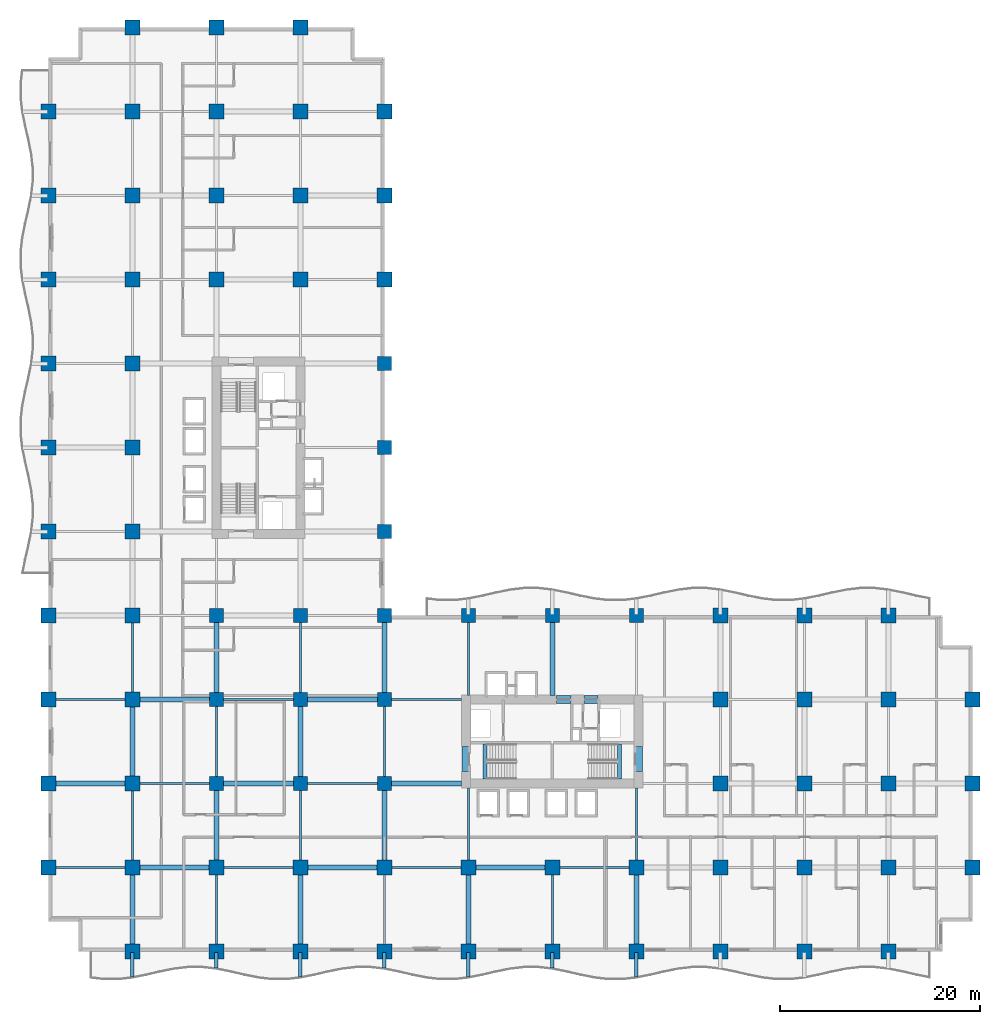
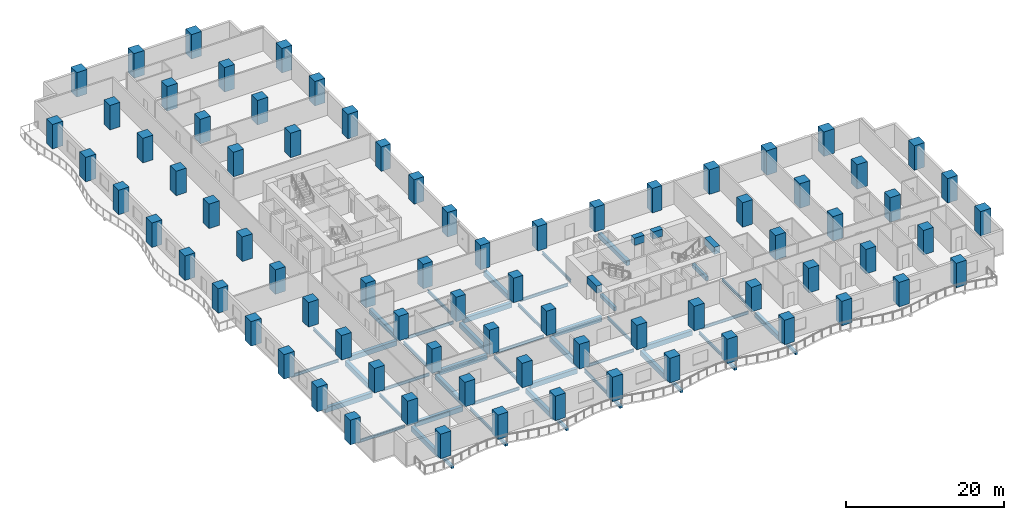
# One storey, part 1 of 18: 78 columns, 53 beams.
"""IFC4 building model written with IfcOpenShell, lengths in metres."""

from ifc_helpers import new_model, si_unit, direction, frame, origin, origin_2d, place, context, subcontext, project, spatial, rectangle, i_section, extrude, material, material_profile, profile_set, type_object, element, save


model = new_model("IFC4")

# Units and contexts
model_context = context("Model", 3, precision=1e-05, world=origin(), true_north=direction((0.0, 1.0)))
body_context = subcontext(model_context, "Body", "Model", "MODEL_VIEW")
ifc_project = project(units=[si_unit("LENGTHUNIT", "METRE"), si_unit("AREAUNIT", "SQUARE_METRE"), si_unit("VOLUMEUNIT", "CUBIC_METRE"), si_unit("PLANEANGLEUNIT", "RADIAN"), si_unit("MASSUNIT", "GRAM", prefix="KILO")], contexts=[model_context])

# Site, building, storey
site_placement = place(None, origin())
site = spatial("IfcSite", under=ifc_project, at=site_placement, CompositionType="ELEMENT")
building_placement = place(site_placement, origin())
building = spatial("IfcBuilding", under=site, at=building_placement, Name="Koriwani Terraces Tower", CompositionType="ELEMENT")
storey_placement = place(building_placement, frame((0.0, 0.0, 81.39990234375)))
storey = spatial("IfcBuildingStorey", under=building, at=storey_placement, Name="L19", CompositionType="ELEMENT", Elevation=81.39990234375)

# Columns
ifc_material_1 = material(Name="Concrete C60/75", Category="concrete")
ifc_material_profile_1 = material_profile(ifc_material_1, rectangle(XDim=1.39990234375, YDim=1.39990234375, at=origin_2d()), Name="Concrete C60/75", Category="LoadBearing")
ifc_profile_set_1 = profile_set([ifc_material_profile_1], Name="Concrete C60/75")
column_type_1 = type_object("IfcColumnType", Name="COL_RC_1400X1400", PredefinedType="COLUMN", material=ifc_profile_set_1)
for number, where, z_axis, x_axis, name in (
    (1, (16.800048828125, 16.800048828125, 0.0), (0.0, 0.0, 1.0), (1.0, 0.0, 0.0), "L19 Column 3/C"),
    (2, (16.800048828125, 25.199951171875, 0.0), (0.0, 0.0, 1.0), (1.0, 0.0, 0.0), "L19 Column 3/D"),
    (3, (16.800048828125, 33.60009765625, 0.0), (0.0, 0.0, 1.0), (1.0, 0.0, 0.0), "L19 Column 3/E"),
    (4, (25.199951171875, 16.800048828125, 0.0), (0.0, 0.0, 1.0), (1.0, 0.0, 0.0), "L19 Column 4/C"),
    (5, (25.199951171875, 25.199951171875, 0.0), (0.0, 0.0, 1.0), (1.0, 0.0, 0.0), "L19 Column 4/D"),
    (6, (25.199951171875, 33.60009765625, 0.0), (0.0, 0.0, 1.0), (1.0, 0.0, 0.0), "L19 Column 4/E"),
    (7, (33.60009765625, 16.800048828125, 0.0), (0.0, 0.0, 1.0), (1.0, 0.0, 0.0), "L19 Column 5/C"),
    (8, (33.60009765625, 25.199951171875, 0.0), (0.0, 0.0, 1.0), (1.0, 0.0, 0.0), "L19 Column 5/D"),
    (9, (33.60009765625, 33.60009765625, 0.0), (0.0, 0.0, 1.0), (1.0, 0.0, 0.0), "L19 Column 5/E"),
    (10, (33.60009765625, 42.0, 0.0), (0.0, 0.0, 1.0), (1.0, 0.0, 0.0), "L19 Column 5/F"),
    (11, (33.60009765625, 50.39990234375, 0.0), (0.0, 0.0, 1.0), (1.0, 0.0, 0.0), "L19 Column 5/G"),
    (12, (33.60009765625, 58.800048828125, 0.0), (0.0, 0.0, 1.0), (1.0, 0.0, 0.0), "L19 Column 5/H"),
    (13, (42.0, 33.60009765625, 0.0), (0.0, 0.0, 1.0), (1.0, 0.0, 0.0), "L19 Column 6/E"),
    (14, (50.39990234375, 33.60009765625, 0.0), (0.0, 0.0, 1.0), (1.0, 0.0, 0.0), "L19 Column 7/E"),
    (15, (58.800048828125, 33.60009765625, 0.0), (0.0, 0.0, 1.0), (1.0, 0.0, 0.0), "L19 Column 8/E"),
):
    element("IfcColumn", number, at=place(storey_placement, frame(where, z_axis=z_axis, x_axis=x_axis)), inside=storey, type_object=column_type_1, Name=name, PredefinedType="COLUMN", context=body_context, shape_type="SweptSolid", body=[
        extrude(rectangle(XDim=1.39990234375, YDim=1.39990234375, at=origin_2d()), origin(), (0.0, 0.0, 1.0), 3.800048828125),
    ])
ifc_material_profile_2 = material_profile(ifc_material_1, rectangle(XDim=1.5, YDim=1.5, at=origin_2d()), Name="Concrete C60/75", Category="LoadBearing")
ifc_profile_set_2 = profile_set([ifc_material_profile_2], Name="Concrete C60/75")
column_type_2 = type_object("IfcColumnType", Name="COL_RC_1500X1500", PredefinedType="COLUMN", material=ifc_profile_set_2)
for number, where, z_axis, x_axis, name in (
    (16, (0.0, 8.39990234375, 0.0), (0.0, 0.0, 1.0), (1.0, 0.0, 0.0), "L19 Column 1/B"),
    (17, (0.0, 16.800048828125, 0.0), (0.0, 0.0, 1.0), (1.0, 0.0, 0.0), "L19 Column 1/C"),
    (18, (0.0, 25.199951171875, 0.0), (0.0, 0.0, 1.0), (1.0, 0.0, 0.0), "L19 Column 1/D"),
    (19, (0.0, 33.60009765625, 0.0), (0.0, 0.0, 1.0), (1.0, 0.0, 0.0), "L19 Column 1/E"),
    (20, (0.0, 42.0, 0.0), (0.0, 0.0, 1.0), (1.0, 0.0, 0.0), "L19 Column 1/F"),
    (21, (0.0, 50.39990234375, 0.0), (0.0, 0.0, 1.0), (1.0, 0.0, 0.0), "L19 Column 1/G"),
    (22, (0.0, 58.800048828125, 0.0), (0.0, 0.0, 1.0), (1.0, 0.0, 0.0), "L19 Column 1/H"),
    (23, (0.0, 67.199951171875, 0.0), (0.0, 0.0, 1.0), (1.0, 0.0, 0.0), "L19 Column 1/I"),
    (24, (0.0, 75.60009765625, 0.0), (0.0, 0.0, 1.0), (1.0, 0.0, 0.0), "L19 Column 1/J"),
    (25, (0.0, 84.0, 0.0), (0.0, 0.0, 1.0), (1.0, 0.0, 0.0), "L19 Column 1/K"),
    (26, (8.39990234375, 0.0, 0.0), (0.0, 0.0, 1.0), (1.0, 0.0, 0.0), "L19 Column 2/A"),
    (27, (8.39990234375, 8.39990234375, 0.0), (0.0, 0.0, 1.0), (1.0, 0.0, 0.0), "L19 Column 2/B"),
    (28, (8.39990234375, 16.800048828125, 0.0), (0.0, 0.0, 1.0), (1.0, 0.0, 0.0), "L19 Column 2/C"),
    (29, (8.39990234375, 25.199951171875, 0.0), (0.0, 0.0, 1.0), (1.0, 0.0, 0.0), "L19 Column 2/D"),
    (30, (8.39990234375, 33.60009765625, 0.0), (0.0, 0.0, 1.0), (1.0, 0.0, 0.0), "L19 Column 2/E"),
    (31, (8.39990234375, 42.0, 0.0), (0.0, 0.0, 1.0), (1.0, 0.0, 0.0), "L19 Column 2/F"),
    (32, (8.39990234375, 50.39990234375, 0.0), (0.0, 0.0, 1.0), (1.0, 0.0, 0.0), "L19 Column 2/G"),
    (33, (8.39990234375, 58.800048828125, 0.0), (0.0, 0.0, 1.0), (1.0, 0.0, 0.0), "L19 Column 2/H"),
    (34, (8.39990234375, 67.199951171875, 0.0), (0.0, 0.0, 1.0), (1.0, 0.0, 0.0), "L19 Column 2/I"),
    (35, (8.39990234375, 75.60009765625, 0.0), (0.0, 0.0, 1.0), (1.0, 0.0, 0.0), "L19 Column 2/J"),
    (36, (8.39990234375, 84.0, 0.0), (0.0, 0.0, 1.0), (1.0, 0.0, 0.0), "L19 Column 2/K"),
    (37, (8.39990234375, 92.39990234375, 0.0), (0.0, 0.0, 1.0), (1.0, 0.0, 0.0), "L19 Column 2/L"),
    (38, (16.800048828125, 0.0, 0.0), (0.0, 0.0, 1.0), (1.0, 0.0, 0.0), "L19 Column 3/A"),
    (39, (16.800048828125, 8.39990234375, 0.0), (0.0, 0.0, 1.0), (1.0, 0.0, 0.0), "L19 Column 3/B"),
    (40, (16.800048828125, 67.199951171875, 0.0), (0.0, 0.0, 1.0), (1.0, 0.0, 0.0), "L19 Column 3/I"),
    (41, (16.800048828125, 75.60009765625, 0.0), (0.0, 0.0, 1.0), (1.0, 0.0, 0.0), "L19 Column 3/J"),
    (42, (16.800048828125, 84.0, 0.0), (0.0, 0.0, 1.0), (1.0, 0.0, 0.0), "L19 Column 3/K"),
    (43, (16.800048828125, 92.39990234375, 0.0), (0.0, 0.0, 1.0), (1.0, 0.0, 0.0), "L19 Column 3/L"),
    (44, (25.199951171875, 0.0, 0.0), (0.0, 0.0, 1.0), (1.0, 0.0, 0.0), "L19 Column 4/A"),
    (45, (25.199951171875, 8.39990234375, 0.0), (0.0, 0.0, 1.0), (1.0, 0.0, 0.0), "L19 Column 4/B"),
    (46, (25.199951171875, 67.199951171875, 0.0), (0.0, 0.0, 1.0), (1.0, 0.0, 0.0), "L19 Column 4/I"),
    (47, (25.199951171875, 75.60009765625, 0.0), (0.0, 0.0, 1.0), (1.0, 0.0, 0.0), "L19 Column 4/J"),
    (48, (25.199951171875, 84.0, 0.0), (0.0, 0.0, 1.0), (1.0, 0.0, 0.0), "L19 Column 4/K"),
    (49, (25.199951171875, 92.39990234375, 0.0), (0.0, 0.0, 1.0), (1.0, 0.0, 0.0), "L19 Column 4/L"),
    (50, (33.60009765625, 0.0, 0.0), (0.0, 0.0, 1.0), (1.0, 0.0, 0.0), "L19 Column 5/A"),
    (51, (33.60009765625, 8.39990234375, 0.0), (0.0, 0.0, 1.0), (1.0, 0.0, 0.0), "L19 Column 5/B"),
    (52, (33.60009765625, 67.199951171875, 0.0), (0.0, 0.0, 1.0), (1.0, 0.0, 0.0), "L19 Column 5/I"),
    (53, (33.60009765625, 75.60009765625, 0.0), (0.0, 0.0, 1.0), (1.0, 0.0, 0.0), "L19 Column 5/J"),
    (54, (33.60009765625, 84.0, 0.0), (0.0, 0.0, 1.0), (1.0, 0.0, 0.0), "L19 Column 5/K"),
    (55, (42.0, 0.0, 0.0), (0.0, 0.0, 1.0), (1.0, 0.0, 0.0), "L19 Column 6/A"),
    (56, (42.0, 8.39990234375, 0.0), (0.0, 0.0, 1.0), (1.0, 0.0, 0.0), "L19 Column 6/B"),
    (57, (50.39990234375, 0.0, 0.0), (0.0, 0.0, 1.0), (1.0, 0.0, 0.0), "L19 Column 7/A"),
    (58, (50.39990234375, 8.39990234375, 0.0), (0.0, 0.0, 1.0), (1.0, 0.0, 0.0), "L19 Column 7/B"),
    (59, (58.800048828125, 0.0, 0.0), (0.0, 0.0, 1.0), (1.0, 0.0, 0.0), "L19 Column 8/A"),
    (60, (58.800048828125, 8.39990234375, 0.0), (0.0, 0.0, 1.0), (1.0, 0.0, 0.0), "L19 Column 8/B"),
    (61, (67.199951171875, 0.0, 0.0), (0.0, 0.0, 1.0), (1.0, 0.0, 0.0), "L19 Column 9/A"),
    (62, (67.199951171875, 8.39990234375, 0.0), (0.0, 0.0, 1.0), (1.0, 0.0, 0.0), "L19 Column 9/B"),
    (63, (67.199951171875, 16.800048828125, 0.0), (0.0, 0.0, 1.0), (1.0, 0.0, 0.0), "L19 Column 9/C"),
    (64, (67.199951171875, 25.199951171875, 0.0), (0.0, 0.0, 1.0), (1.0, 0.0, 0.0), "L19 Column 9/D"),
    (65, (67.199951171875, 33.60009765625, 0.0), (0.0, 0.0, 1.0), (1.0, 0.0, 0.0), "L19 Column 9/E"),
    (66, (75.60009765625, 0.0, 0.0), (0.0, 0.0, 1.0), (1.0, 0.0, 0.0), "L19 Column 10/A"),
    (67, (75.60009765625, 8.39990234375, 0.0), (0.0, 0.0, 1.0), (1.0, 0.0, 0.0), "L19 Column 10/B"),
    (68, (75.60009765625, 16.800048828125, 0.0), (0.0, 0.0, 1.0), (1.0, 0.0, 0.0), "L19 Column 10/C"),
    (69, (75.60009765625, 25.199951171875, 0.0), (0.0, 0.0, 1.0), (1.0, 0.0, 0.0), "L19 Column 10/D"),
    (70, (75.60009765625, 33.60009765625, 0.0), (0.0, 0.0, 1.0), (1.0, 0.0, 0.0), "L19 Column 10/E"),
    (71, (84.0, 0.0, 0.0), (0.0, 0.0, 1.0), (1.0, 0.0, 0.0), "L19 Column 11/A"),
    (72, (84.0, 8.39990234375, 0.0), (0.0, 0.0, 1.0), (1.0, 0.0, 0.0), "L19 Column 11/B"),
    (73, (84.0, 16.800048828125, 0.0), (0.0, 0.0, 1.0), (1.0, 0.0, 0.0), "L19 Column 11/C"),
    (74, (84.0, 25.199951171875, 0.0), (0.0, 0.0, 1.0), (1.0, 0.0, 0.0), "L19 Column 11/D"),
    (75, (84.0, 33.60009765625, 0.0), (0.0, 0.0, 1.0), (1.0, 0.0, 0.0), "L19 Column 11/E"),
    (76, (92.39990234375, 8.39990234375, 0.0), (0.0, 0.0, 1.0), (1.0, 0.0, 0.0), "L19 Column 12/B"),
    (77, (92.39990234375, 16.800048828125, 0.0), (0.0, 0.0, 1.0), (1.0, 0.0, 0.0), "L19 Column 12/C"),
    (78, (92.39990234375, 25.199951171875, 0.0), (0.0, 0.0, 1.0), (1.0, 0.0, 0.0), "L19 Column 12/D"),
):
    element("IfcColumn", number, at=place(storey_placement, frame(where, z_axis=z_axis, x_axis=x_axis)), inside=storey, type_object=column_type_2, Name=name, PredefinedType="COLUMN", context=body_context, shape_type="SweptSolid", body=[
        extrude(rectangle(XDim=1.5, YDim=1.5, at=origin_2d()), origin(), (0.0, 0.0, 1.0), 3.800048828125),
    ])

# Beams
ifc_material_2 = material(Name="Concrete C40/50", Category="concrete")
ifc_material_profile_3 = material_profile(ifc_material_2, rectangle(XDim=0.35009765625, YDim=0.449951171875, at=origin_2d()), Name="Concrete C40/50", Category="LoadBearing")
ifc_profile_set_3 = profile_set([ifc_material_profile_3], Name="Concrete C40/50")
beam_type_1 = type_object("IfcBeamType", Name="BEAM_RC_BALCONY_RIB_350X450", PredefinedType="JOIST", material=ifc_profile_set_3)
beam_1_placement = place(storey_placement, frame((8.39990234375, -2.516845703125, -0.474853515625), z_axis=(0.0, 1.0, 0.0), x_axis=(-1.0, 0.0, 0.0)))
element("IfcBeam", 79, at=beam_1_placement, inside=storey, type_object=beam_type_1, Name="L19 Balcony Bracket Rib S-1", PredefinedType="JOIST", context=body_context, shape_type="SweptSolid", body=[
    extrude(rectangle(XDim=0.35009765625, YDim=0.449951171875, at=origin_2d()), origin(), (0.0, 0.0, 1.0), 2.416748046875),
])
beam_2_placement = place(storey_placement, frame((16.800048828125, -1.633056640625, -0.474853515625), z_axis=(0.0, 1.0, 0.0), x_axis=(-1.0, 0.0, 0.0)))
element("IfcBeam", 80, at=beam_2_placement, inside=storey, type_object=beam_type_1, Name="L19 Balcony Bracket Rib S-2", PredefinedType="JOIST", context=body_context, shape_type="SweptSolid", body=[
    extrude(rectangle(XDim=0.35009765625, YDim=0.449951171875, at=origin_2d()), origin(), (0.0, 0.0, 1.0), 1.532958984375),
])
beam_3_placement = place(storey_placement, frame((25.199951171875, -2.516845703125, -0.474853515625), z_axis=(0.0, 1.0, 0.0), x_axis=(-1.0, 0.0, 0.0)))
element("IfcBeam", 81, at=beam_3_placement, inside=storey, type_object=beam_type_1, Name="L19 Balcony Bracket Rib S-3", PredefinedType="JOIST", context=body_context, shape_type="SweptSolid", body=[
    extrude(rectangle(XDim=0.35009765625, YDim=0.449951171875, at=origin_2d()), origin(), (0.0, 0.0, 1.0), 2.416748046875),
])
beam_4_placement = place(storey_placement, frame((33.60009765625, -1.633056640625, -0.474853515625), z_axis=(0.0, 1.0, 0.0), x_axis=(-1.0, 0.0, 0.0)))
element("IfcBeam", 82, at=beam_4_placement, inside=storey, type_object=beam_type_1, Name="L19 Balcony Bracket Rib S-4", PredefinedType="JOIST", context=body_context, shape_type="SweptSolid", body=[
    extrude(rectangle(XDim=0.35009765625, YDim=0.449951171875, at=origin_2d()), origin(), (0.0, 0.0, 1.0), 1.532958984375),
])
beam_5_placement = place(storey_placement, frame((42.0, -2.516845703125, -0.474853515625), z_axis=(0.0, 1.0, 0.0), x_axis=(-1.0, 0.0, 0.0)))
element("IfcBeam", 83, at=beam_5_placement, inside=storey, type_object=beam_type_1, Name="L19 Balcony Bracket Rib S-5", PredefinedType="JOIST", context=body_context, shape_type="SweptSolid", body=[
    extrude(rectangle(XDim=0.35009765625, YDim=0.449951171875, at=origin_2d()), origin(), (0.0, 0.0, 1.0), 2.416748046875),
])
beam_6_placement = place(storey_placement, frame((50.39990234375, -1.633056640625, -0.474853515625), z_axis=(0.0, 1.0, 0.0), x_axis=(-1.0, 0.0, 0.0)))
element("IfcBeam", 84, at=beam_6_placement, inside=storey, type_object=beam_type_1, Name="L19 Balcony Bracket Rib S-6", PredefinedType="JOIST", context=body_context, shape_type="SweptSolid", body=[
    extrude(rectangle(XDim=0.35009765625, YDim=0.449951171875, at=origin_2d()), origin(), (0.0, 0.0, 1.0), 1.532958984375),
])
beam_7_placement = place(storey_placement, frame((58.800048828125, -2.516845703125, -0.474853515625), z_axis=(0.0, 1.0, 0.0), x_axis=(-1.0, 0.0, 0.0)))
element("IfcBeam", 85, at=beam_7_placement, inside=storey, type_object=beam_type_1, Name="L19 Balcony Bracket Rib S-7", PredefinedType="JOIST", context=body_context, shape_type="SweptSolid", body=[
    extrude(rectangle(XDim=0.35009765625, YDim=0.449951171875, at=origin_2d()), origin(), (0.0, 0.0, 1.0), 2.416748046875),
])
ifc_material_profile_4 = material_profile(ifc_material_1, rectangle(XDim=0.800048828125, YDim=1.10009765625, at=origin_2d()), Name="Concrete C60/75", Category="LoadBearing")
ifc_profile_set_4 = profile_set([ifc_material_profile_4], Name="Concrete C60/75")
beam_type_2 = type_object("IfcBeamType", Name="BEAM_RC_COUPLING_800X1100", PredefinedType="LINTEL", material=ifc_profile_set_4)
beam_8_placement = place(storey_placement, frame((50.800048828125, 25.199951171875, 3.0), z_axis=(1.0, 0.0, 0.0), x_axis=(0.0, 1.0, 0.0)))
element("IfcBeam", 86, at=beam_8_placement, inside=storey, type_object=beam_type_2, Name="L19 Core Coupling Lintel Beam EN1", PredefinedType="LINTEL", context=body_context, shape_type="SweptSolid", body=[
    extrude(rectangle(XDim=0.800048828125, YDim=1.10009765625, at=origin_2d()), origin(), (0.0, 0.0, 1.0), 1.47998046875),
])
beam_9_placement = place(storey_placement, frame((53.550048828125, 25.199951171875, 3.0), z_axis=(1.0, 0.0, 0.0), x_axis=(0.0, 1.0, 0.0)))
element("IfcBeam", 87, at=beam_9_placement, inside=storey, type_object=beam_type_2, Name="L19 Core Coupling Lintel Beam EN2", PredefinedType="LINTEL", context=body_context, shape_type="SweptSolid", body=[
    extrude(rectangle(XDim=0.800048828125, YDim=1.10009765625, at=origin_2d()), origin(), (0.0, 0.0, 1.0), 1.39990234375),
])
for number, where, z_axis, x_axis, name in (
    (88, (41.75, 18.0, 3.0), (0.0, 1.0, 0.0), (-1.0, 0.0, 0.0), "L19 Core Coupling Lintel Beam EW"),
    (89, (59.0, 18.0, 3.0), (0.0, 1.0, 0.0), (-1.0, 0.0, 0.0), "L19 Core Coupling Lintel Beam EE"),
):
    element("IfcBeam", number, at=place(storey_placement, frame(where, z_axis=z_axis, x_axis=x_axis)), inside=storey, type_object=beam_type_2, Name=name, PredefinedType="LINTEL", context=body_context, shape_type="SweptSolid", body=[
        extrude(rectangle(XDim=0.800048828125, YDim=1.10009765625, at=origin_2d()), origin(), (0.0, 0.0, 1.0), 2.5),
    ])
ifc_material_profile_5 = material_profile(ifc_material_2, rectangle(XDim=0.39990234375, YDim=0.60009765625, at=origin_2d()), Name="Concrete C40/50", Category="LoadBearing")
ifc_profile_set_5 = profile_set([ifc_material_profile_5], Name="Concrete C40/50")
beam_type_3 = type_object("IfcBeamType", Name="BEAM_RC_GRID_400X600", PredefinedType="BEAM", material=ifc_profile_set_5)
for number, where, z_axis, x_axis, name in (
    (90, (43.655029296875, 17.25, -0.2998046875), (0.0, 1.0, 0.0), (-1.0, 0.0, 0.0), "L19 Stairwell Header Trimmer Beam ST-E1"),
    (91, (57.094970703125, 17.25, -0.2998046875), (0.0, 1.0, 0.0), (-1.0, 0.0, 0.0), "L19 Stairwell Header Trimmer Beam ST-E2"),
):
    element("IfcBeam", number, at=place(storey_placement, frame(where, z_axis=z_axis, x_axis=x_axis)), inside=storey, type_object=beam_type_3, Name=name, PredefinedType="BEAM", context=body_context, shape_type="SweptSolid", body=[
        extrude(rectangle(XDim=0.39990234375, YDim=0.60009765625, at=origin_2d()), origin(), (0.0, 0.0, 1.0), 3.5),
    ])
ifc_material_3 = material(Name="Concrete C50/60", Category="concrete")
ifc_material_profile_6 = material_profile(ifc_material_3, rectangle(XDim=0.5, YDim=0.75, at=origin_2d()), Name="Concrete C50/60", Category="LoadBearing")
ifc_profile_set_6 = profile_set([ifc_material_profile_6], Name="Concrete C50/60")
beam_type_4 = type_object("IfcBeamType", Name="BEAM_RC_GRID_500X750", PredefinedType="BEAM", material=ifc_profile_set_6)
for number, where, z_axis, x_axis, name in (
    (92, (9.1298828125, 8.39990234375, -0.625), (1.0, 0.0, 0.0), (0.0, 1.0, 0.0), "L19 Grid Beam B (8.4-16.8m)"),
    (93, (25.929931640625, 8.39990234375, -0.625), (1.0, 0.0, 0.0), (0.0, 1.0, 0.0), "L19 Grid Beam B (25.2-33.6m)"),
):
    element("IfcBeam", number, at=place(storey_placement, frame(where, z_axis=z_axis, x_axis=x_axis)), inside=storey, type_object=beam_type_4, Name=name, PredefinedType="BEAM", context=body_context, shape_type="SweptSolid", body=[
        extrude(rectangle(XDim=0.5, YDim=0.75, at=origin_2d()), origin(), (0.0, 0.0, 1.0), 6.940185546875),
    ])
for number, where, z_axis, x_axis, name in (
    (94, (42.72998046875, 8.39990234375, -0.625), (1.0, 0.0, 0.0), (0.0, 1.0, 0.0), "L19 Grid Beam B (42.0-50.4m)"),
    (95, (0.72998046875, 16.800048828125, -0.625), (1.0, 0.0, 0.0), (0.0, 1.0, 0.0), "L19 Grid Beam C (0.0-8.4m)"),
):
    element("IfcBeam", number, at=place(storey_placement, frame(where, z_axis=z_axis, x_axis=x_axis)), inside=storey, type_object=beam_type_4, Name=name, PredefinedType="BEAM", context=body_context, shape_type="SweptSolid", body=[
        extrude(rectangle(XDim=0.5, YDim=0.75, at=origin_2d()), origin(), (0.0, 0.0, 1.0), 6.93994140625),
    ])
for number, where, z_axis, x_axis, name in (
    (96, (17.47998046875, 16.800048828125, -0.625), (1.0, 0.0, 0.0), (0.0, 1.0, 0.0), "L19 Grid Beam C (16.8-25.2m)"),
    (97, (34.280029296875, 16.800048828125, -0.625), (1.0, 0.0, 0.0), (0.0, 1.0, 0.0), "L19 Grid Beam C (33.6-42.0m)"),
):
    element("IfcBeam", number, at=place(storey_placement, frame(where, z_axis=z_axis, x_axis=x_axis)), inside=storey, type_object=beam_type_4, Name=name, PredefinedType="BEAM", context=body_context, shape_type="SweptSolid", body=[
        extrude(rectangle(XDim=0.5, YDim=0.75, at=origin_2d()), origin(), (0.0, 0.0, 1.0), 7.0400390625),
    ])
beam_10_placement = place(storey_placement, frame((9.1298828125, 25.199951171875, -0.625), z_axis=(1.0, 0.0, 0.0), x_axis=(0.0, 1.0, 0.0)))
element("IfcBeam", 98, at=beam_10_placement, inside=storey, type_object=beam_type_4, Name="L19 Grid Beam D (8.4-16.8m)", PredefinedType="BEAM", context=body_context, shape_type="SweptSolid", body=[
    extrude(rectangle(XDim=0.5, YDim=0.75, at=origin_2d()), origin(), (0.0, 0.0, 1.0), 6.990234375),
])
beam_11_placement = place(storey_placement, frame((25.8798828125, 25.199951171875, -0.625), z_axis=(1.0, 0.0, 0.0), x_axis=(0.0, 1.0, 0.0)))
element("IfcBeam", 99, at=beam_11_placement, inside=storey, type_object=beam_type_4, Name="L19 Grid Beam D (25.2-33.6m)", PredefinedType="BEAM", context=body_context, shape_type="SweptSolid", body=[
    extrude(rectangle(XDim=0.5, YDim=0.75, at=origin_2d()), origin(), (0.0, 0.0, 1.0), 7.0400390625),
])
for number, where, z_axis, x_axis, name in (
    (100, (8.39990234375, 0.72998046875, -0.625), (0.0, 1.0, 0.0), (-1.0, 0.0, 0.0), "L19 Grid Beam 2 (0.0-8.4m)"),
    (101, (8.39990234375, 17.530029296875, -0.625), (0.0, 1.0, 0.0), (-1.0, 0.0, 0.0), "L19 Grid Beam 2 (16.8-25.2m)"),
):
    element("IfcBeam", number, at=place(storey_placement, frame(where, z_axis=z_axis, x_axis=x_axis)), inside=storey, type_object=beam_type_4, Name=name, PredefinedType="BEAM", context=body_context, shape_type="SweptSolid", body=[
        extrude(rectangle(XDim=0.5, YDim=0.75, at=origin_2d()), origin(), (0.0, 0.0, 1.0), 6.93994140625),
    ])
beam_12_placement = place(storey_placement, frame((16.800048828125, 9.1298828125, -0.625), z_axis=(0.0, 1.0, 0.0), x_axis=(-1.0, 0.0, 0.0)))
element("IfcBeam", 102, at=beam_12_placement, inside=storey, type_object=beam_type_4, Name="L19 Grid Beam 3 (8.4-16.8m)", PredefinedType="BEAM", context=body_context, shape_type="SweptSolid", body=[
    extrude(rectangle(XDim=0.5, YDim=0.75, at=origin_2d()), origin(), (0.0, 0.0, 1.0), 6.990234375),
])
beam_13_placement = place(storey_placement, frame((16.800048828125, 25.8798828125, -0.625), z_axis=(0.0, 1.0, 0.0), x_axis=(-1.0, 0.0, 0.0)))
element("IfcBeam", 103, at=beam_13_placement, inside=storey, type_object=beam_type_4, Name="L19 Grid Beam 3 (25.2-33.6m)", PredefinedType="BEAM", context=body_context, shape_type="SweptSolid", body=[
    extrude(rectangle(XDim=0.5, YDim=0.75, at=origin_2d()), origin(), (0.0, 0.0, 1.0), 7.0400390625),
])
beam_14_placement = place(storey_placement, frame((25.199951171875, 0.72998046875, -0.625), z_axis=(0.0, 1.0, 0.0), x_axis=(-1.0, 0.0, 0.0)))
element("IfcBeam", 104, at=beam_14_placement, inside=storey, type_object=beam_type_4, Name="L19 Grid Beam 4 (0.0-8.4m)", PredefinedType="BEAM", context=body_context, shape_type="SweptSolid", body=[
    extrude(rectangle(XDim=0.5, YDim=0.75, at=origin_2d()), origin(), (0.0, 0.0, 1.0), 6.93994140625),
])
beam_15_placement = place(storey_placement, frame((25.199951171875, 17.47998046875, -0.625), z_axis=(0.0, 1.0, 0.0), x_axis=(-1.0, 0.0, 0.0)))
element("IfcBeam", 105, at=beam_15_placement, inside=storey, type_object=beam_type_4, Name="L19 Grid Beam 4 (16.8-25.2m)", PredefinedType="BEAM", context=body_context, shape_type="SweptSolid", body=[
    extrude(rectangle(XDim=0.5, YDim=0.75, at=origin_2d()), origin(), (0.0, 0.0, 1.0), 7.0400390625),
])
beam_16_placement = place(storey_placement, frame((33.60009765625, 9.1298828125, -0.625), z_axis=(0.0, 1.0, 0.0), x_axis=(-1.0, 0.0, 0.0)))
element("IfcBeam", 106, at=beam_16_placement, inside=storey, type_object=beam_type_4, Name="L19 Grid Beam 5 (8.4-16.8m)", PredefinedType="BEAM", context=body_context, shape_type="SweptSolid", body=[
    extrude(rectangle(XDim=0.5, YDim=0.75, at=origin_2d()), origin(), (0.0, 0.0, 1.0), 6.990234375),
])
beam_17_placement = place(storey_placement, frame((33.60009765625, 25.8798828125, -0.625), z_axis=(0.0, 1.0, 0.0), x_axis=(-1.0, 0.0, 0.0)))
element("IfcBeam", 107, at=beam_17_placement, inside=storey, type_object=beam_type_4, Name="L19 Grid Beam 5 (25.2-33.6m)", PredefinedType="BEAM", context=body_context, shape_type="SweptSolid", body=[
    extrude(rectangle(XDim=0.5, YDim=0.75, at=origin_2d()), origin(), (0.0, 0.0, 1.0), 7.0400390625),
])
beam_18_placement = place(storey_placement, frame((42.0, 0.72998046875, -0.625), z_axis=(0.0, 1.0, 0.0), x_axis=(-1.0, 0.0, 0.0)))
element("IfcBeam", 108, at=beam_18_placement, inside=storey, type_object=beam_type_4, Name="L19 Grid Beam 6 (0.0-8.4m)", PredefinedType="BEAM", context=body_context, shape_type="SweptSolid", body=[
    extrude(rectangle(XDim=0.5, YDim=0.75, at=origin_2d()), origin(), (0.0, 0.0, 1.0), 6.93994140625),
])
beam_19_placement = place(storey_placement, frame((50.39990234375, 25.6298828125, -0.625), z_axis=(0.0, 1.0, 0.0), x_axis=(-1.0, 0.0, 0.0)))
element("IfcBeam", 109, at=beam_19_placement, inside=storey, type_object=beam_type_4, Name="L19 Grid Beam 7 (25.2-33.6m)", PredefinedType="BEAM", context=body_context, shape_type="SweptSolid", body=[
    extrude(rectangle(XDim=0.5, YDim=0.75, at=origin_2d()), origin(), (0.0, 0.0, 1.0), 7.2900390625),
])
beam_20_placement = place(storey_placement, frame((58.800048828125, 0.72998046875, -0.625), z_axis=(0.0, 1.0, 0.0), x_axis=(-1.0, 0.0, 0.0)))
element("IfcBeam", 110, at=beam_20_placement, inside=storey, type_object=beam_type_4, Name="L19 Grid Beam 8 (0.0-8.4m)", PredefinedType="BEAM", context=body_context, shape_type="SweptSolid", body=[
    extrude(rectangle(XDim=0.5, YDim=0.75, at=origin_2d()), origin(), (0.0, 0.0, 1.0), 6.93994140625),
])
ifc_material_4 = material(Name="Steel ASTM A572 Grade 50", Category="steel")
ifc_material_profile_7 = material_profile(ifc_material_4, i_section(OverallWidth=0.19189453125, OverallDepth=0.462890625, WebThickness=0.010498046875, FlangeThickness=0.01611328125, at=origin_2d()), Name="Steel ASTM A572 Grade 50", Category="LoadBearing")
ifc_profile_set_7 = profile_set([ifc_material_profile_7], Name="Steel ASTM A572 Grade 50")
beam_type_5 = type_object("IfcBeamType", Name="STEEL_BEAM_W460X89", PredefinedType="BEAM", material=ifc_profile_set_7)
for number, where, z_axis, x_axis, name in (
    (111, (0.72998046875, 8.39990234375, -0.4814453125), (1.0, 0.0, 0.0), (0.0, 1.0, 0.0), "L19 Grid Beam B (0.0-8.4m)"),
    (112, (17.530029296875, 8.39990234375, -0.4814453125), (1.0, 0.0, 0.0), (0.0, 1.0, 0.0), "L19 Grid Beam B (16.8-25.2m)"),
    (113, (34.330078125, 8.39990234375, -0.4814453125), (1.0, 0.0, 0.0), (0.0, 1.0, 0.0), "L19 Grid Beam B (33.6-42.0m)"),
):
    element("IfcBeam", number, at=place(storey_placement, frame(where, z_axis=z_axis, x_axis=x_axis)), inside=storey, type_object=beam_type_5, Name=name, PredefinedType="BEAM", context=body_context, shape_type="SweptSolid", body=[
        extrude(i_section(OverallWidth=0.19189453125, OverallDepth=0.462890625, WebThickness=0.010498046875, FlangeThickness=0.01611328125, at=origin_2d()), origin(), (0.0, 0.0, 1.0), 6.93994140625),
    ])
beam_21_placement = place(storey_placement, frame((51.1298828125, 8.39990234375, -0.4814453125), z_axis=(1.0, 0.0, 0.0), x_axis=(0.0, 1.0, 0.0)))
element("IfcBeam", 114, at=beam_21_placement, inside=storey, type_object=beam_type_5, Name="L19 Grid Beam B (50.4-58.8m)", PredefinedType="BEAM", context=body_context, shape_type="SweptSolid", body=[
    extrude(i_section(OverallWidth=0.19189453125, OverallDepth=0.462890625, WebThickness=0.010498046875, FlangeThickness=0.01611328125, at=origin_2d()), origin(), (0.0, 0.0, 1.0), 6.940185546875),
])
beam_22_placement = place(storey_placement, frame((9.1298828125, 16.800048828125, -0.4814453125), z_axis=(1.0, 0.0, 0.0), x_axis=(0.0, 1.0, 0.0)))
element("IfcBeam", 115, at=beam_22_placement, inside=storey, type_object=beam_type_5, Name="L19 Grid Beam C (8.4-16.8m)", PredefinedType="BEAM", context=body_context, shape_type="SweptSolid", body=[
    extrude(i_section(OverallWidth=0.19189453125, OverallDepth=0.462890625, WebThickness=0.010498046875, FlangeThickness=0.01611328125, at=origin_2d()), origin(), (0.0, 0.0, 1.0), 6.990234375),
])
beam_23_placement = place(storey_placement, frame((25.8798828125, 16.800048828125, -0.4814453125), z_axis=(1.0, 0.0, 0.0), x_axis=(0.0, 1.0, 0.0)))
element("IfcBeam", 116, at=beam_23_placement, inside=storey, type_object=beam_type_5, Name="L19 Grid Beam C (25.2-33.6m)", PredefinedType="BEAM", context=body_context, shape_type="SweptSolid", body=[
    extrude(i_section(OverallWidth=0.19189453125, OverallDepth=0.462890625, WebThickness=0.010498046875, FlangeThickness=0.01611328125, at=origin_2d()), origin(), (0.0, 0.0, 1.0), 7.0400390625),
])
beam_24_placement = place(storey_placement, frame((0.72998046875, 25.199951171875, -0.4814453125), z_axis=(1.0, 0.0, 0.0), x_axis=(0.0, 1.0, 0.0)))
element("IfcBeam", 117, at=beam_24_placement, inside=storey, type_object=beam_type_5, Name="L19 Grid Beam D (0.0-8.4m)", PredefinedType="BEAM", context=body_context, shape_type="SweptSolid", body=[
    extrude(i_section(OverallWidth=0.19189453125, OverallDepth=0.462890625, WebThickness=0.010498046875, FlangeThickness=0.01611328125, at=origin_2d()), origin(), (0.0, 0.0, 1.0), 6.93994140625),
])
for number, where, z_axis, x_axis, name in (
    (118, (17.47998046875, 25.199951171875, -0.4814453125), (1.0, 0.0, 0.0), (0.0, 1.0, 0.0), "L19 Grid Beam D (16.8-25.2m)"),
    (119, (34.280029296875, 25.199951171875, -0.4814453125), (1.0, 0.0, 0.0), (0.0, 1.0, 0.0), "L19 Grid Beam D (33.6-42.0m)"),
):
    element("IfcBeam", number, at=place(storey_placement, frame(where, z_axis=z_axis, x_axis=x_axis)), inside=storey, type_object=beam_type_5, Name=name, PredefinedType="BEAM", context=body_context, shape_type="SweptSolid", body=[
        extrude(i_section(OverallWidth=0.19189453125, OverallDepth=0.462890625, WebThickness=0.010498046875, FlangeThickness=0.01611328125, at=origin_2d()), origin(), (0.0, 0.0, 1.0), 7.0400390625),
    ])
for number, where, z_axis, x_axis, name in (
    (120, (8.39990234375, 9.1298828125, -0.4814453125), (0.0, 1.0, 0.0), (-1.0, 0.0, 0.0), "L19 Grid Beam 2 (8.4-16.8m)"),
    (121, (8.39990234375, 25.929931640625, -0.4814453125), (0.0, 1.0, 0.0), (-1.0, 0.0, 0.0), "L19 Grid Beam 2 (25.2-33.6m)"),
):
    element("IfcBeam", number, at=place(storey_placement, frame(where, z_axis=z_axis, x_axis=x_axis)), inside=storey, type_object=beam_type_5, Name=name, PredefinedType="BEAM", context=body_context, shape_type="SweptSolid", body=[
        extrude(i_section(OverallWidth=0.19189453125, OverallDepth=0.462890625, WebThickness=0.010498046875, FlangeThickness=0.01611328125, at=origin_2d()), origin(), (0.0, 0.0, 1.0), 6.940185546875),
    ])
beam_25_placement = place(storey_placement, frame((16.800048828125, 0.72998046875, -0.4814453125), z_axis=(0.0, 1.0, 0.0), x_axis=(-1.0, 0.0, 0.0)))
element("IfcBeam", 122, at=beam_25_placement, inside=storey, type_object=beam_type_5, Name="L19 Grid Beam 3 (0.0-8.4m)", PredefinedType="BEAM", context=body_context, shape_type="SweptSolid", body=[
    extrude(i_section(OverallWidth=0.19189453125, OverallDepth=0.462890625, WebThickness=0.010498046875, FlangeThickness=0.01611328125, at=origin_2d()), origin(), (0.0, 0.0, 1.0), 6.93994140625),
])
beam_26_placement = place(storey_placement, frame((16.800048828125, 17.47998046875, -0.4814453125), z_axis=(0.0, 1.0, 0.0), x_axis=(-1.0, 0.0, 0.0)))
element("IfcBeam", 123, at=beam_26_placement, inside=storey, type_object=beam_type_5, Name="L19 Grid Beam 3 (16.8-25.2m)", PredefinedType="BEAM", context=body_context, shape_type="SweptSolid", body=[
    extrude(i_section(OverallWidth=0.19189453125, OverallDepth=0.462890625, WebThickness=0.010498046875, FlangeThickness=0.01611328125, at=origin_2d()), origin(), (0.0, 0.0, 1.0), 7.0400390625),
])
beam_27_placement = place(storey_placement, frame((25.199951171875, 9.1298828125, -0.4814453125), z_axis=(0.0, 1.0, 0.0), x_axis=(-1.0, 0.0, 0.0)))
element("IfcBeam", 124, at=beam_27_placement, inside=storey, type_object=beam_type_5, Name="L19 Grid Beam 4 (8.4-16.8m)", PredefinedType="BEAM", context=body_context, shape_type="SweptSolid", body=[
    extrude(i_section(OverallWidth=0.19189453125, OverallDepth=0.462890625, WebThickness=0.010498046875, FlangeThickness=0.01611328125, at=origin_2d()), origin(), (0.0, 0.0, 1.0), 6.990234375),
])
beam_28_placement = place(storey_placement, frame((25.199951171875, 25.8798828125, -0.4814453125), z_axis=(0.0, 1.0, 0.0), x_axis=(-1.0, 0.0, 0.0)))
element("IfcBeam", 125, at=beam_28_placement, inside=storey, type_object=beam_type_5, Name="L19 Grid Beam 4 (25.2-33.6m)", PredefinedType="BEAM", context=body_context, shape_type="SweptSolid", body=[
    extrude(i_section(OverallWidth=0.19189453125, OverallDepth=0.462890625, WebThickness=0.010498046875, FlangeThickness=0.01611328125, at=origin_2d()), origin(), (0.0, 0.0, 1.0), 7.0400390625),
])
beam_29_placement = place(storey_placement, frame((33.60009765625, 0.72998046875, -0.4814453125), z_axis=(0.0, 1.0, 0.0), x_axis=(-1.0, 0.0, 0.0)))
element("IfcBeam", 126, at=beam_29_placement, inside=storey, type_object=beam_type_5, Name="L19 Grid Beam 5 (0.0-8.4m)", PredefinedType="BEAM", context=body_context, shape_type="SweptSolid", body=[
    extrude(i_section(OverallWidth=0.19189453125, OverallDepth=0.462890625, WebThickness=0.010498046875, FlangeThickness=0.01611328125, at=origin_2d()), origin(), (0.0, 0.0, 1.0), 6.93994140625),
])
beam_30_placement = place(storey_placement, frame((33.60009765625, 17.47998046875, -0.4814453125), z_axis=(0.0, 1.0, 0.0), x_axis=(-1.0, 0.0, 0.0)))
element("IfcBeam", 127, at=beam_30_placement, inside=storey, type_object=beam_type_5, Name="L19 Grid Beam 5 (16.8-25.2m)", PredefinedType="BEAM", context=body_context, shape_type="SweptSolid", body=[
    extrude(i_section(OverallWidth=0.19189453125, OverallDepth=0.462890625, WebThickness=0.010498046875, FlangeThickness=0.01611328125, at=origin_2d()), origin(), (0.0, 0.0, 1.0), 7.0400390625),
])
beam_31_placement = place(storey_placement, frame((42.0, 9.1298828125, -0.4814453125), z_axis=(0.0, 1.0, 0.0), x_axis=(-1.0, 0.0, 0.0)))
element("IfcBeam", 128, at=beam_31_placement, inside=storey, type_object=beam_type_5, Name="L19 Grid Beam 6 (8.4-16.8m)", PredefinedType="BEAM", context=body_context, shape_type="SweptSolid", body=[
    extrude(i_section(OverallWidth=0.19189453125, OverallDepth=0.462890625, WebThickness=0.010498046875, FlangeThickness=0.01611328125, at=origin_2d()), origin(), (0.0, 0.0, 1.0), 7.240234375),
])
beam_32_placement = place(storey_placement, frame((42.0, 25.6298828125, -0.4814453125), z_axis=(0.0, 1.0, 0.0), x_axis=(-1.0, 0.0, 0.0)))
element("IfcBeam", 129, at=beam_32_placement, inside=storey, type_object=beam_type_5, Name="L19 Grid Beam 6 (25.2-33.6m)", PredefinedType="BEAM", context=body_context, shape_type="SweptSolid", body=[
    extrude(i_section(OverallWidth=0.19189453125, OverallDepth=0.462890625, WebThickness=0.010498046875, FlangeThickness=0.01611328125, at=origin_2d()), origin(), (0.0, 0.0, 1.0), 7.2900390625),
])
beam_33_placement = place(storey_placement, frame((50.39990234375, 0.72998046875, -0.4814453125), z_axis=(0.0, 1.0, 0.0), x_axis=(-1.0, 0.0, 0.0)))
element("IfcBeam", 130, at=beam_33_placement, inside=storey, type_object=beam_type_5, Name="L19 Grid Beam 7 (0.0-8.4m)", PredefinedType="BEAM", context=body_context, shape_type="SweptSolid", body=[
    extrude(i_section(OverallWidth=0.19189453125, OverallDepth=0.462890625, WebThickness=0.010498046875, FlangeThickness=0.01611328125, at=origin_2d()), origin(), (0.0, 0.0, 1.0), 6.93994140625),
])
beam_34_placement = place(storey_placement, frame((58.800048828125, 9.1298828125, -0.4814453125), z_axis=(0.0, 1.0, 0.0), x_axis=(-1.0, 0.0, 0.0)))
element("IfcBeam", 131, at=beam_34_placement, inside=storey, type_object=beam_type_5, Name="L19 Grid Beam 8 (8.4-16.8m)", PredefinedType="BEAM", context=body_context, shape_type="SweptSolid", body=[
    extrude(i_section(OverallWidth=0.19189453125, OverallDepth=0.462890625, WebThickness=0.010498046875, FlangeThickness=0.01611328125, at=origin_2d()), origin(), (0.0, 0.0, 1.0), 7.240234375),
])

save(model, "model.ifc")
